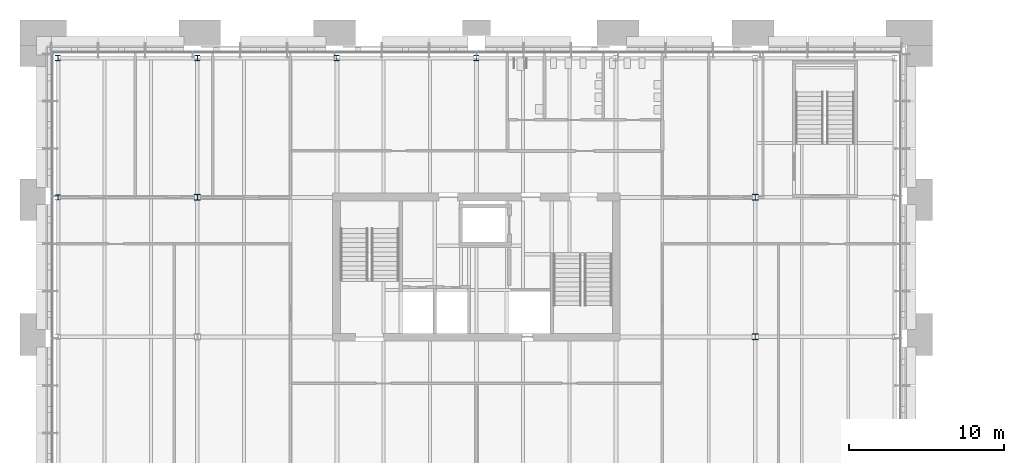
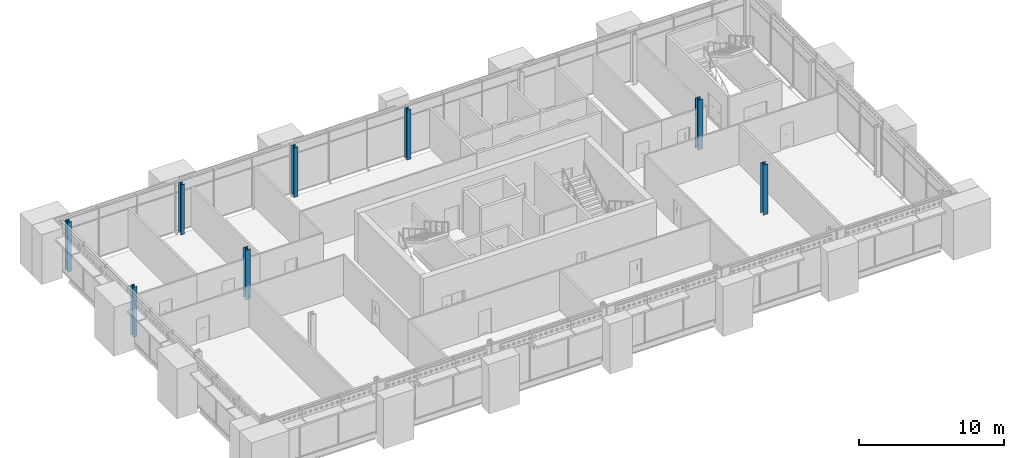
# One storey, part 8 of 37: 8 columns.
"""IFC4 building model written with IfcOpenShell, lengths in metres."""

import ifcopenshell
import ifcopenshell.guid

model = None  # the IFC model being written
_history = None  # IfcOwnerHistory: only IFC2X3 demands one
_inside = {}  # id of a spatial element -> (the spatial element, [elements in it])
_under = {}  # id of a project, library or spatial element -> (it, [spatial elements below it])
_declared = {}  # id of a project -> (the project, [libraries it declares])
_typed = {}  # id of a type object -> (the type object, [elements of that type])
_made_of = {}  # id of a material, layer set ... -> (it, [elements and type objects made of it])


def new_model(schema):
    """Start an empty IFC model of exactly this schema.

    Asked for "IFC4X3", IfcOpenShell would pick the latest addendum, in which some entities
    have other attributes; the version numbers below select the first issue.
    IFC2X3 requires an IfcOwnerHistory on every rooted entity: one is made here for all.
    """
    global model, _history
    if schema == "IFC4X3":
        model = ifcopenshell.file(schema_version=(4, 3, 0, 0))
    else:
        model = ifcopenshell.file(schema=schema)
    _inside.clear()
    _under.clear()
    _declared.clear()
    _typed.clear()
    _made_of.clear()
    _history = None
    if model.schema == "IFC2X3":
        org = make("IfcOrganization", Name="unknown")
        user = make(
            "IfcPersonAndOrganization",
            ThePerson=make("IfcPerson", FamilyName="unknown"),
            TheOrganization=org,
        )
        app = make(
            "IfcApplication",
            ApplicationDeveloper=org,
            Version="unknown",
            ApplicationFullName="unknown",
            ApplicationIdentifier="unknown",
        )
        _history = make(
            "IfcOwnerHistory",
            OwningUser=user,
            OwningApplication=app,
            ChangeAction="ADDED",
            CreationDate=0,
        )
    return model


def make(cls, **values):
    """One entity of the class cls with the attributes given. An attribute that is None is left unset."""
    return model.create_entity(
        cls, **{name: value for name, value in values.items() if value is not None}
    )


def rooted(cls, **values):
    """An entity with a GlobalId (a new one), such as an element, a storey or a relation."""
    return make(cls, GlobalId=ifcopenshell.guid.new(), OwnerHistory=_history, **values)


def si_unit(unit_type, name, prefix=None):
    """IfcSIUnit, for example si_unit("LENGTHUNIT", "METRE", prefix="MILLI")."""
    return make("IfcSIUnit", UnitType=unit_type, Prefix=prefix, Name=name)


def assignment(units):
    """IfcUnitAssignment: the units of a project."""
    return None if units is None else make("IfcUnitAssignment", Units=units)


def point(xyz):
    """IfcCartesianPoint."""
    return None if xyz is None else make("IfcCartesianPoint", Coordinates=xyz)


def direction(xyz):
    """IfcDirection."""
    return None if xyz is None else make("IfcDirection", DirectionRatios=xyz)


def frame(location, z_axis=None, x_axis=None):
    """IfcAxis2Placement3D, a coordinate frame: its origin and axes. An axis left out is left unset."""
    return make(
        "IfcAxis2Placement3D",
        Location=point(location),
        Axis=direction(z_axis),
        RefDirection=direction(x_axis),
    )


def frame_2d(location, x_axis=None):
    """IfcAxis2Placement2D, a coordinate frame in the plane: its origin and x axis."""
    return make(
        "IfcAxis2Placement2D", Location=point(location), RefDirection=direction(x_axis)
    )


def origin():
    """The frame at (0, 0, 0) with its axes left unset."""
    return frame((0.0, 0.0, 0.0))


def origin_2d():
    """The frame at (0, 0) in the plane with its x axis left unset."""
    return frame_2d((0.0, 0.0))


def place(relative_to, where):
    """IfcLocalPlacement: puts the frame where relative to a parent placement (None: the world)."""
    return make(
        "IfcLocalPlacement", PlacementRelTo=relative_to, RelativePlacement=where
    )


def context(
    kind, dimensions, precision=None, world=None, true_north=None, identifier=None
):
    """IfcGeometricRepresentationContext, for example the 3D "Model" context."""
    return make(
        "IfcGeometricRepresentationContext",
        ContextIdentifier=identifier,
        ContextType=kind,
        CoordinateSpaceDimension=dimensions,
        Precision=precision,
        WorldCoordinateSystem=world,
        TrueNorth=true_north,
    )


def subcontext(parent, identifier, kind, view, scale=None):
    """IfcGeometricRepresentationSubContext, for example "Body" below "Model"."""
    return make(
        "IfcGeometricRepresentationSubContext",
        ContextIdentifier=identifier,
        ContextType=kind,
        ParentContext=parent,
        TargetScale=scale,
        TargetView=view,
    )


def project(units=None, contexts=None):
    """IfcProject with its units and contexts."""
    return rooted(
        "IfcProject",
        Name="project",
        RepresentationContexts=contexts,
        UnitsInContext=assignment(units),
    )


def spatial(cls, under=None, at=None, **own):
    """A site, building, storey or space (cls), placed at a placement, below another one or the project."""
    s = rooted(cls, ObjectPlacement=at, **own)
    if under is not None:
        _under.setdefault(under.id(), (under, []))[1].append(s)
    return s


def profile(cls, at=None, kind="AREA", **sizes):
    """A parametric profile (cls). Its sizes go by their IFC names, for example OverallWidth=200.0."""
    return make(cls, ProfileType=kind, Position=at, **sizes)


def i_section(**sizes):
    """IfcIShapeProfileDef."""
    return profile("IfcIShapeProfileDef", **sizes)


def extrude(swept, where, along, depth):
    """IfcExtrudedAreaSolid: the profile swept, set in the frame where, extruded along a direction by depth."""
    return make(
        "IfcExtrudedAreaSolid",
        SweptArea=swept,
        Position=where,
        ExtrudedDirection=direction(along),
        Depth=depth,
    )


def shape(context_of_items, identifier, shape_type, items):
    """IfcShapeRepresentation: the items that make up one representation, for example the "Body"."""
    return make(
        "IfcShapeRepresentation",
        ContextOfItems=context_of_items,
        RepresentationIdentifier=identifier,
        RepresentationType=shape_type,
        Items=items,
    )


def material(Name=None, Category=None):
    """IfcMaterial."""
    return make("IfcMaterial", Name=Name, Category=Category)


def material_profile(
    of_material, cross_section, Name=None, Category=None, Priority=None
):
    """IfcMaterialProfile: a cross section and its material."""
    return make(
        "IfcMaterialProfile",
        Name=Name,
        Material=of_material,
        Profile=cross_section,
        Priority=Priority,
        Category=Category,
    )


def profile_set(profiles, Name=None, composite=None):
    """IfcMaterialProfileSet."""
    return make(
        "IfcMaterialProfileSet",
        Name=Name,
        MaterialProfiles=profiles,
        CompositeProfile=composite,
    )


def made_of(thing, what):
    """Note that an element or type object is made of a material, layer set ...; save() writes the relation."""
    if what is not None:
        _made_of.setdefault(what.id(), (what, []))[1].append(thing)
    return thing


def type_object(cls, material=None, **own):
    """A type object (cls), such as IfcWallType, which elements share."""
    return made_of(rooted(cls, **own), material)


def element(
    cls,
    number,
    at=None,
    inside=None,
    cuts=None,
    type_object=None,
    material=None,
    context=None,
    identifier="Body",
    shape_type=None,
    held_by="IfcProductDefinitionShape",
    body=None,
    shapes=None,
    **own,
):
    """One element of the class cls, such as IfcWall. Its Tag is "e" and its number.

    at: its placement. inside: the storey or other place that contains it. cuts: it is an
    opening in that element (IfcRelVoidsElement). A single representation is given by context,
    identifier, shape_type and body (its items); several are given by shapes. held_by: the class
    of the entity that holds the representations. save() writes the other relations.
    """
    e = rooted(cls, Tag="e%d" % number, ObjectPlacement=at, **own)
    if body is not None:
        shapes = [shape(context, identifier, shape_type, body)]
    if shapes is not None:
        e.Representation = make(held_by, Representations=shapes)
    if inside is not None:
        _inside.setdefault(inside.id(), (inside, []))[1].append(e)
    if cuts is not None:
        rooted(
            "IfcRelVoidsElement", RelatingBuildingElement=cuts, RelatedOpeningElement=e
        )
    if type_object is not None:
        _typed.setdefault(type_object.id(), (type_object, []))[1].append(e)
    return made_of(e, material)


def aggregate(whole, parts):
    """IfcRelAggregates: a whole, such as a stair, and the parts it consists of."""
    return rooted("IfcRelAggregates", RelatingObject=whole, RelatedObjects=parts)


def save(model, path):
    """Write the relations noted so far, then the file.

    IfcRelAggregates (storeys below a building ...), IfcRelContainedInSpatialStructure (elements
    in a storey), IfcRelDefinesByType, IfcRelAssociatesMaterial and IfcRelDeclares: one each for
    every whole, place, type object, material and project.
    """
    for whole, parts in _under.values():
        aggregate(whole, parts)
    for where, things in _inside.values():
        rooted(
            "IfcRelContainedInSpatialStructure",
            RelatedElements=things,
            RelatingStructure=where,
        )
    for kind, things in _typed.values():
        rooted("IfcRelDefinesByType", RelatedObjects=things, RelatingType=kind)
    for what, things in _made_of.values():
        rooted("IfcRelAssociatesMaterial", RelatedObjects=things, RelatingMaterial=what)
    for by, libraries in _declared.values():
        rooted("IfcRelDeclares", RelatingContext=by, RelatedDefinitions=libraries)
    model.write(path)


model = new_model("IFC4")

# Units and contexts
model_context = context("Model", 3, precision=1e-05, world=origin(), true_north=direction((0.0, 1.0)))
body_context = subcontext(model_context, "Body", "Model", "MODEL_VIEW")
ifc_project = project(units=[si_unit("LENGTHUNIT", "METRE"), si_unit("AREAUNIT", "SQUARE_METRE"), si_unit("VOLUMEUNIT", "CUBIC_METRE"), si_unit("PLANEANGLEUNIT", "RADIAN"), si_unit("MASSUNIT", "GRAM", prefix="KILO")], contexts=[model_context])

# Site, building, storey
site_placement = place(None, origin())
site = spatial("IfcSite", under=ifc_project, at=site_placement, CompositionType="ELEMENT")
building_placement = place(site_placement, origin())
building = spatial("IfcBuilding", under=site, at=building_placement, Name="Baradari Gate Terminus", CompositionType="ELEMENT")
storey_placement = place(building_placement, frame((0.0, 0.0, 24.300048828125)))
storey = spatial("IfcBuildingStorey", under=building, at=storey_placement, Name="L05", CompositionType="ELEMENT", Elevation=24.300048828125)

# Columns
ifc_material_1 = material(Name="Steel S355", Category="steel")
ifc_material_profile_1 = material_profile(ifc_material_1, i_section(OverallWidth=0.394775390625, OverallDepth=0.381103515625, WebThickness=0.018310546875, FlangeThickness=0.0302734375, FilletRadius=0.01513671875, at=origin_2d()), Name="UC 356x406x235")
ifc_profile_set_1 = profile_set([ifc_material_profile_1], Name="Steel S355")
column_type_1 = type_object("IfcColumnType", Name="Operations block column C21 UC 356x406x235", PredefinedType="COLUMN", material=ifc_profile_set_1)
for number, where, z_axis, x_axis, name in (
    (1, (18.0, 135.0, 0.0), (0.0, 0.0, 1.0), (1.0, 0.0, 0.0), "C21 column 3-R L05"),
    (2, (54.0, 126.0, 0.0), (0.0, 0.0, 1.0), (1.0, 0.0, 0.0), "C21 column 7-Q L05"),
    (3, (54.0, 135.0, 0.0), (0.0, 0.0, 1.0), (1.0, 0.0, 0.0), "C21 column 7-R L05"),
):
    element("IfcColumn", number, at=place(storey_placement, frame(where, z_axis=z_axis, x_axis=x_axis)), inside=storey, type_object=column_type_1, Name=name, PredefinedType="COLUMN", context=body_context, shape_type="SweptSolid", body=[
        extrude(i_section(OverallWidth=0.394775390625, OverallDepth=0.381103515625, WebThickness=0.018310546875, FlangeThickness=0.0302734375, FilletRadius=0.01513671875, at=origin_2d()), origin(), (0.0, 0.0, 1.0), 4.199951171875),
    ])
ifc_material_2 = material(Name="Steel S355", Category="steel")
ifc_material_profile_2 = material_profile(ifc_material_2, i_section(OverallWidth=0.314453125, OverallDepth=0.33984375, WebThickness=0.01904296875, FlangeThickness=0.031494140625, FilletRadius=0.01513671875, at=origin_2d()), Name="UC 305x305x198")
ifc_profile_set_2 = profile_set([ifc_material_profile_2], Name="Steel S355")
column_type_2 = type_object("IfcColumnType", Name="Operations block perimeter column C20 UC 305x305x198", PredefinedType="COLUMN", material=ifc_profile_set_2)
for number, where, z_axis, x_axis, name in (
    (4, (9.0, 135.0, 0.0), (0.0, 0.0, 1.0), (1.0, 0.0, 0.0), "C20 column 2-R L05"),
    (5, (9.0, 144.0, 0.0), (0.0, 0.0, 1.0), (1.0, 0.0, 0.0), "C20 column 2-S L05"),
    (6, (18.0, 144.0, 0.0), (0.0, 0.0, 1.0), (1.0, 0.0, 0.0), "C20 column 3-S L05"),
    (7, (27.0, 144.0, 0.0), (0.0, 0.0, 1.0), (1.0, 0.0, 0.0), "C20 column 4-S L05"),
    (8, (36.0, 144.0, 0.0), (0.0, 0.0, 1.0), (1.0, 0.0, 0.0), "C20 column 5-S L05"),
):
    element("IfcColumn", number, at=place(storey_placement, frame(where, z_axis=z_axis, x_axis=x_axis)), inside=storey, type_object=column_type_2, Name=name, PredefinedType="COLUMN", context=body_context, shape_type="SweptSolid", body=[
        extrude(i_section(OverallWidth=0.314453125, OverallDepth=0.33984375, WebThickness=0.01904296875, FlangeThickness=0.031494140625, FilletRadius=0.01513671875, at=origin_2d()), origin(), (0.0, 0.0, 1.0), 4.199951171875),
    ])

save(model, "model.ifc")
